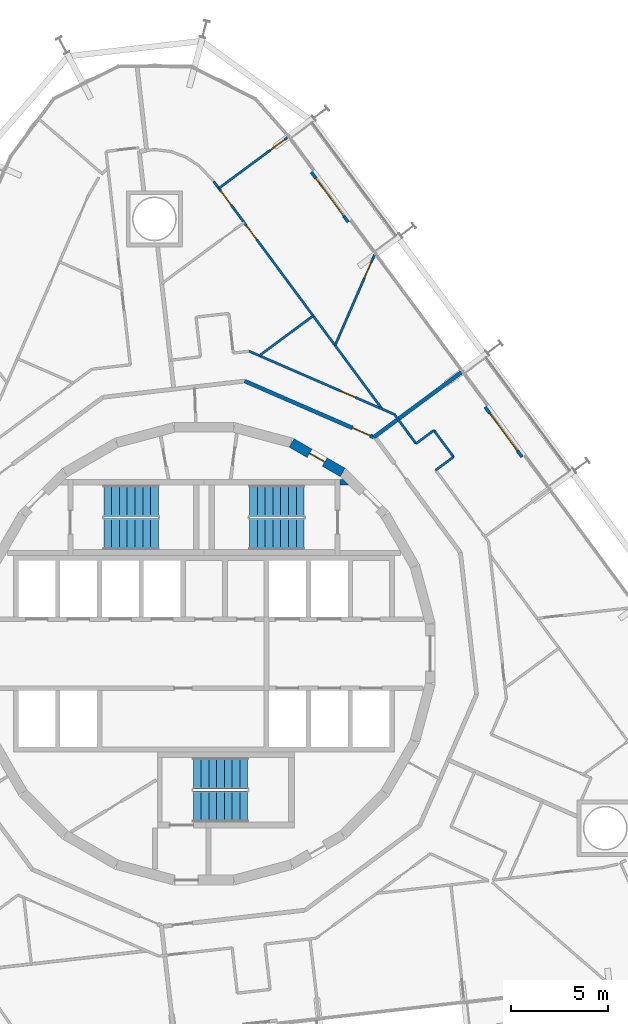
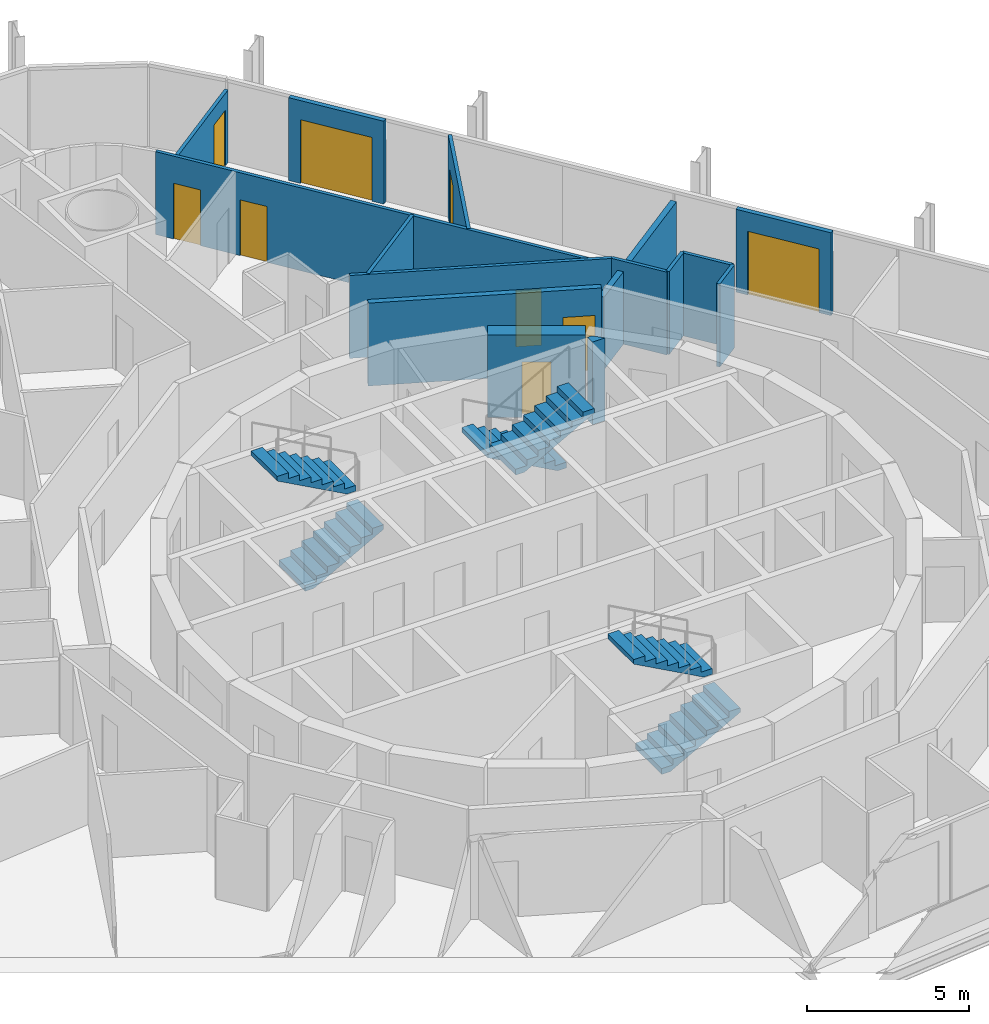
# One storey, part 22 of 24: 15 walls, 9 doors, 6 stair flights, 9 openings, 3 elements without a shape of their own.
"""IFC4 building model written with IfcOpenShell, lengths in metres."""

import ifcopenshell
import ifcopenshell.guid

model = None  # the IFC model being written
_history = None  # IfcOwnerHistory: only IFC2X3 demands one
_inside = {}  # id of a spatial element -> (the spatial element, [elements in it])
_under = {}  # id of a project, library or spatial element -> (it, [spatial elements below it])
_declared = {}  # id of a project -> (the project, [libraries it declares])
_typed = {}  # id of a type object -> (the type object, [elements of that type])
_made_of = {}  # id of a material, layer set ... -> (it, [elements and type objects made of it])


def new_model(schema):
    """Start an empty IFC model of exactly this schema.

    Asked for "IFC4X3", IfcOpenShell would pick the latest addendum, in which some entities
    have other attributes; the version numbers below select the first issue.
    IFC2X3 requires an IfcOwnerHistory on every rooted entity: one is made here for all.
    """
    global model, _history
    if schema == "IFC4X3":
        model = ifcopenshell.file(schema_version=(4, 3, 0, 0))
    else:
        model = ifcopenshell.file(schema=schema)
    _inside.clear()
    _under.clear()
    _declared.clear()
    _typed.clear()
    _made_of.clear()
    _history = None
    if model.schema == "IFC2X3":
        org = make("IfcOrganization", Name="unknown")
        user = make(
            "IfcPersonAndOrganization",
            ThePerson=make("IfcPerson", FamilyName="unknown"),
            TheOrganization=org,
        )
        app = make(
            "IfcApplication",
            ApplicationDeveloper=org,
            Version="unknown",
            ApplicationFullName="unknown",
            ApplicationIdentifier="unknown",
        )
        _history = make(
            "IfcOwnerHistory",
            OwningUser=user,
            OwningApplication=app,
            ChangeAction="ADDED",
            CreationDate=0,
        )
    return model


def make(cls, **values):
    """One entity of the class cls with the attributes given. An attribute that is None is left unset."""
    return model.create_entity(
        cls, **{name: value for name, value in values.items() if value is not None}
    )


def rooted(cls, **values):
    """An entity with a GlobalId (a new one), such as an element, a storey or a relation."""
    return make(cls, GlobalId=ifcopenshell.guid.new(), OwnerHistory=_history, **values)


def si_unit(unit_type, name, prefix=None):
    """IfcSIUnit, for example si_unit("LENGTHUNIT", "METRE", prefix="MILLI")."""
    return make("IfcSIUnit", UnitType=unit_type, Prefix=prefix, Name=name)


def assignment(units):
    """IfcUnitAssignment: the units of a project."""
    return None if units is None else make("IfcUnitAssignment", Units=units)


def point(xyz):
    """IfcCartesianPoint."""
    return None if xyz is None else make("IfcCartesianPoint", Coordinates=xyz)


def direction(xyz):
    """IfcDirection."""
    return None if xyz is None else make("IfcDirection", DirectionRatios=xyz)


def frame(location, z_axis=None, x_axis=None):
    """IfcAxis2Placement3D, a coordinate frame: its origin and axes. An axis left out is left unset."""
    return make(
        "IfcAxis2Placement3D",
        Location=point(location),
        Axis=direction(z_axis),
        RefDirection=direction(x_axis),
    )


def frame_2d(location, x_axis=None):
    """IfcAxis2Placement2D, a coordinate frame in the plane: its origin and x axis."""
    return make(
        "IfcAxis2Placement2D", Location=point(location), RefDirection=direction(x_axis)
    )


def origin():
    """The frame at (0, 0, 0) with its axes left unset."""
    return frame((0.0, 0.0, 0.0))


def place(relative_to, where):
    """IfcLocalPlacement: puts the frame where relative to a parent placement (None: the world)."""
    return make(
        "IfcLocalPlacement", PlacementRelTo=relative_to, RelativePlacement=where
    )


def context(
    kind, dimensions, precision=None, world=None, true_north=None, identifier=None
):
    """IfcGeometricRepresentationContext, for example the 3D "Model" context."""
    return make(
        "IfcGeometricRepresentationContext",
        ContextIdentifier=identifier,
        ContextType=kind,
        CoordinateSpaceDimension=dimensions,
        Precision=precision,
        WorldCoordinateSystem=world,
        TrueNorth=true_north,
    )


def subcontext(parent, identifier, kind, view, scale=None):
    """IfcGeometricRepresentationSubContext, for example "Body" below "Model"."""
    return make(
        "IfcGeometricRepresentationSubContext",
        ContextIdentifier=identifier,
        ContextType=kind,
        ParentContext=parent,
        TargetScale=scale,
        TargetView=view,
    )


def project(units=None, contexts=None):
    """IfcProject with its units and contexts."""
    return rooted(
        "IfcProject",
        Name="project",
        RepresentationContexts=contexts,
        UnitsInContext=assignment(units),
    )


def spatial(cls, under=None, at=None, **own):
    """A site, building, storey or space (cls), placed at a placement, below another one or the project."""
    s = rooted(cls, ObjectPlacement=at, **own)
    if under is not None:
        _under.setdefault(under.id(), (under, []))[1].append(s)
    return s


def polyline(points):
    """IfcPolyline through the points."""
    return make("IfcPolyline", Points=[point(p) for p in points])


def profile(cls, at=None, kind="AREA", **sizes):
    """A parametric profile (cls). Its sizes go by their IFC names, for example OverallWidth=200.0."""
    return make(cls, ProfileType=kind, Position=at, **sizes)


def rectangle(**sizes):
    """IfcRectangleProfileDef."""
    return profile("IfcRectangleProfileDef", **sizes)


def outline(outer, holes=None, kind="AREA"):
    """IfcArbitraryClosedProfileDef: a profile drawn as a closed curve; with holes, ...WithVoids."""
    if holes is None:
        return make("IfcArbitraryClosedProfileDef", ProfileType=kind, OuterCurve=outer)
    return make(
        "IfcArbitraryProfileDefWithVoids",
        ProfileType=kind,
        OuterCurve=outer,
        InnerCurves=holes,
    )


def extrude(swept, where, along, depth):
    """IfcExtrudedAreaSolid: the profile swept, set in the frame where, extruded along a direction by depth."""
    return make(
        "IfcExtrudedAreaSolid",
        SweptArea=swept,
        Position=where,
        ExtrudedDirection=direction(along),
        Depth=depth,
    )


def shape(context_of_items, identifier, shape_type, items):
    """IfcShapeRepresentation: the items that make up one representation, for example the "Body"."""
    return make(
        "IfcShapeRepresentation",
        ContextOfItems=context_of_items,
        RepresentationIdentifier=identifier,
        RepresentationType=shape_type,
        Items=items,
    )


def material(Name=None, Category=None):
    """IfcMaterial."""
    return make("IfcMaterial", Name=Name, Category=Category)


def layer(
    of_material, thickness, ventilated=None, Name=None, Category=None, Priority=None
):
    """IfcMaterialLayer: one layer of a wall or slab, of a material (None: an air gap)."""
    return make(
        "IfcMaterialLayer",
        Material=of_material,
        LayerThickness=thickness,
        IsVentilated=ventilated,
        Name=Name,
        Category=Category,
        Priority=Priority,
    )


def layer_set(layers, Name=None):
    """IfcMaterialLayerSet."""
    return make("IfcMaterialLayerSet", MaterialLayers=layers, LayerSetName=Name)


def made_of(thing, what):
    """Note that an element or type object is made of a material, layer set ...; save() writes the relation."""
    if what is not None:
        _made_of.setdefault(what.id(), (what, []))[1].append(thing)
    return thing


def type_object(cls, material=None, **own):
    """A type object (cls), such as IfcWallType, which elements share."""
    return made_of(rooted(cls, **own), material)


def element(
    cls,
    number,
    at=None,
    inside=None,
    cuts=None,
    type_object=None,
    material=None,
    context=None,
    identifier="Body",
    shape_type=None,
    held_by="IfcProductDefinitionShape",
    body=None,
    shapes=None,
    **own,
):
    """One element of the class cls, such as IfcWall. Its Tag is "e" and its number.

    at: its placement. inside: the storey or other place that contains it. cuts: it is an
    opening in that element (IfcRelVoidsElement). A single representation is given by context,
    identifier, shape_type and body (its items); several are given by shapes. held_by: the class
    of the entity that holds the representations. save() writes the other relations.
    """
    e = rooted(cls, Tag="e%d" % number, ObjectPlacement=at, **own)
    if body is not None:
        shapes = [shape(context, identifier, shape_type, body)]
    if shapes is not None:
        e.Representation = make(held_by, Representations=shapes)
    if inside is not None:
        _inside.setdefault(inside.id(), (inside, []))[1].append(e)
    if cuts is not None:
        rooted(
            "IfcRelVoidsElement", RelatingBuildingElement=cuts, RelatedOpeningElement=e
        )
    if type_object is not None:
        _typed.setdefault(type_object.id(), (type_object, []))[1].append(e)
    return made_of(e, material)


def fill(opening, filler):
    """IfcRelFillsElement: the door or window that sits in an opening."""
    return rooted(
        "IfcRelFillsElement",
        RelatingOpeningElement=opening,
        RelatedBuildingElement=filler,
    )


def aggregate(whole, parts):
    """IfcRelAggregates: a whole, such as a stair, and the parts it consists of."""
    return rooted("IfcRelAggregates", RelatingObject=whole, RelatedObjects=parts)


def save(model, path):
    """Write the relations noted so far, then the file.

    IfcRelAggregates (storeys below a building ...), IfcRelContainedInSpatialStructure (elements
    in a storey), IfcRelDefinesByType, IfcRelAssociatesMaterial and IfcRelDeclares: one each for
    every whole, place, type object, material and project.
    """
    for whole, parts in _under.values():
        aggregate(whole, parts)
    for where, things in _inside.values():
        rooted(
            "IfcRelContainedInSpatialStructure",
            RelatedElements=things,
            RelatingStructure=where,
        )
    for kind, things in _typed.values():
        rooted("IfcRelDefinesByType", RelatedObjects=things, RelatingType=kind)
    for what, things in _made_of.values():
        rooted("IfcRelAssociatesMaterial", RelatedObjects=things, RelatingMaterial=what)
    for by, libraries in _declared.values():
        rooted("IfcRelDeclares", RelatingContext=by, RelatedDefinitions=libraries)
    model.write(path)


model = new_model("IFC4")

# Units and contexts
model_context = context("Model", 3, precision=1e-05, world=origin(), true_north=direction((0.0, 1.0)))
body_context = subcontext(model_context, "Body", "Model", "MODEL_VIEW")
ifc_project = project(units=[si_unit("LENGTHUNIT", "METRE"), si_unit("AREAUNIT", "SQUARE_METRE"), si_unit("VOLUMEUNIT", "CUBIC_METRE"), si_unit("PLANEANGLEUNIT", "RADIAN"), si_unit("MASSUNIT", "GRAM", prefix="KILO")], contexts=[model_context])

# Site, building, storey
site_placement = place(None, origin())
site = spatial("IfcSite", under=ifc_project, at=site_placement, CompositionType="ELEMENT")
building_placement = place(site_placement, origin())
building = spatial("IfcBuilding", under=site, at=building_placement, Name="Spindle Arch Residences", CompositionType="ELEMENT")
storey_placement = place(building_placement, frame((0.0, 0.0, 101.199951171875)))
storey = spatial("IfcBuildingStorey", under=building, at=storey_placement, Name="L24", CompositionType="ELEMENT", Elevation=101.199951171875)

# Wall, opening, door
ifc_material_1 = material(Name="Concrete C50/60", Category="concrete")
ifc_layer_1 = layer(ifc_material_1, 0.5)
ifc_layer_set_1 = layer_set([ifc_layer_1], Name="Core outline wall 500")
wall_type_1 = type_object("IfcWallType", Name="Core outline wall 500", PredefinedType="SHEAR", material=ifc_layer_set_1)
wall_1_placement = place(storey_placement, frame((7.13671875, 9.32861328125, 0.0), z_axis=(0.0, 0.0, 1.0), x_axis=(-0.865975092491, 0.500087131594, 0.0)))
wall_1 = element("IfcWall", 1, at=wall_1_placement, inside=storey, type_object=wall_type_1, Name="Core outline wall 10", PredefinedType="SHEAR", context=body_context, shape_type="SweptSolid", body=[
    extrude(rectangle(XDim=3.03271484375, YDim=0.5, at=frame_2d((1.516357421875, 0.0))), origin(), (0.0, 0.0, 1.0), 3.1201171875),
])
opening_1_placement = place(wall_1_placement, frame((1.06640625, 0.0, 0.0)))
opening_1 = element("IfcOpeningElement", 2, at=opening_1_placement, cuts=wall_1, Name="Opening R2C1-WD10", PredefinedType="OPENING", context=body_context, shape_type="SweptSolid", body=[
    extrude(rectangle(XDim=0.89990234375, YDim=2.10009765625, at=frame_2d((0.449951171875, 1.050048828125))), frame((0.0, 0.260009765625, 0.0), z_axis=(0.0, -1.0, 0.0), x_axis=(1.0, 0.0, 0.0)), (0.0, 0.0, 1.0), 0.52001953125),
])
ifc_material_2 = material(Name="Steel, fire-resisting door", Category="steel")
door_type_1 = type_object("IfcDoorType", Name="Service room door 900x2100", OperationType="SINGLE_SWING_LEFT", PredefinedType="DOOR", material=ifc_material_2)
door_1_placement = place(opening_1_placement, origin())
door_1 = element("IfcDoor", 3, at=door_1_placement, inside=storey, type_object=door_type_1, Name="Service room door R2C1-WD10", OperationType="SINGLE_SWING_LEFT", OverallHeight=2.10009765625, OverallWidth=0.89990234375, PredefinedType="DOOR", context=body_context, shape_type="SweptSolid", body=[
    extrude(rectangle(XDim=0.89990234375, YDim=2.10009765625, at=frame_2d((0.449951171875, 1.050048828125))), frame((0.0, 0.02490234375, 0.0), z_axis=(0.0, -1.0, 0.0), x_axis=(1.0, 0.0, 0.0)), (0.0, 0.0, 1.0), 0.050048828125),
])
fill(opening_1, door_1)

ifc_material_3 = material(Name="Calcium silicate block, plastered")
ifc_layer_2 = layer(ifc_material_3, 0.199951171875)
ifc_layer_set_2 = layer_set([ifc_layer_2], Name="Corridor wall 200")
wall_type_2 = type_object("IfcWallType", Name="Corridor wall 200", PredefinedType="STANDARD", material=ifc_layer_set_2)
wall_2_placement = place(storey_placement, frame((8.735595703125, 11.140625, 0.0), z_axis=(0.0, 0.0, 1.0), x_axis=(-0.917051290697, 0.398769269416, 0.0)))
wall_2 = element("IfcWall", 4, at=wall_2_placement, inside=storey, type_object=wall_type_2, Name="Corridor wall R2C1-W007", PredefinedType="STANDARD", context=body_context, shape_type="SweptSolid", body=[
    extrude(rectangle(XDim=7.23974609375, YDim=0.199951171875, at=frame_2d((3.619873046875, 0.0))), origin(), (0.0, 0.0, 1.0), 3.1201171875),
])
opening_2_placement = place(wall_2_placement, frame((0.199951171875, 0.0, 0.0)))
opening_2 = element("IfcOpeningElement", 5, at=opening_2_placement, cuts=wall_2, Name="Opening R2C1-FD02", PredefinedType="OPENING", context=body_context, shape_type="SweptSolid", body=[
    extrude(rectangle(XDim=1.0, YDim=2.10009765625, at=frame_2d((0.5, 1.050048828125))), frame((0.0, 0.10986328125, 0.0), z_axis=(0.0, -1.0, 0.0), x_axis=(1.0, 0.0, 0.0)), (0.0, 0.0, 1.0), 0.219970703125),
])
ifc_material_4 = material(Name="Timber, fire-resisting door set", Category="wood")
door_type_2 = type_object("IfcDoorType", Name="Flat entrance door 1000x2100", OperationType="NOTDEFINED", PredefinedType="DOOR", material=ifc_material_4)
door_2_placement = place(opening_2_placement, origin())
door_2 = element("IfcDoor", 6, at=door_2_placement, inside=storey, type_object=door_type_2, Name="Flat entrance door R2C1-FD02", OperationType="SINGLE_SWING_RIGHT", OverallHeight=2.10009765625, OverallWidth=1.0, PredefinedType="DOOR", context=body_context, shape_type="SweptSolid", body=[
    extrude(rectangle(XDim=1.0, YDim=2.10009765625, at=frame_2d((0.5, 1.050048828125))), frame((0.0, 0.02490234375, 0.0), z_axis=(0.0, -1.0, 0.0), x_axis=(1.0, 0.0, 0.0)), (0.0, 0.0, 1.0), 0.050048828125),
])
fill(opening_2, door_2)

# Walls
ifc_material_5 = material(Name="Plasterboard on steel studs", Category="steel")
ifc_layer_3 = layer(ifc_material_5, 0.1201171875)
ifc_layer_set_3 = layer_set([ifc_layer_3], Name="Flat partition 120")
wall_type_3 = type_object("IfcWallType", Name="Flat partition 120", PredefinedType="PARTITIONING", material=ifc_layer_set_3)
wall_3_placement = place(storey_placement, frame((11.9208984375, 9.44384765625, 0.0), z_axis=(0.0, 0.0, 1.0), x_axis=(0.803768532163, 0.594942137274, 0.0)))
element("IfcWall", 7, at=wall_3_placement, inside=storey, type_object=wall_type_3, Name="Flat partition R2C1-W031", PredefinedType="PARTITIONING", context=body_context, shape_type="SweptSolid", body=[
    extrude(rectangle(XDim=1.145751953125, YDim=0.1201171875, at=frame_2d((0.57275390625, 0.0))), origin(), (0.0, 0.0, 1.0), 3.1201171875),
])
wall_4_placement = place(storey_placement, frame((12.841796875, 10.12548828125, 0.0), z_axis=(0.0, 0.0, 1.0), x_axis=(-0.594770612735, 0.803895464738, 0.0)))
element("IfcWall", 8, at=wall_4_placement, inside=storey, type_object=wall_type_3, Name="Flat partition R2C1-W032", PredefinedType="PARTITIONING", context=body_context, shape_type="SweptSolid", body=[
    extrude(rectangle(XDim=1.69970703125, YDim=0.1201171875, at=frame_2d((0.849853515625, 0.0))), origin(), (0.0, 0.0, 1.0), 3.1201171875),
])
wall_5_placement = place(storey_placement, frame((11.830810546875, 11.491943359375, 0.0), z_axis=(0.0, 0.0, 1.0), x_axis=(-0.803843936653, -0.59484025209, 0.0)))
element("IfcWall", 9, at=wall_5_placement, inside=storey, type_object=wall_type_3, Name="Flat partition R2C1-W033", PredefinedType="PARTITIONING", context=body_context, shape_type="SweptSolid", body=[
    extrude(rectangle(XDim=1.14599609375, YDim=0.1201171875, at=frame_2d((0.572998046875, 0.0))), origin(), (0.0, 0.0, 1.0), 3.1201171875),
])
wall_6_placement = place(storey_placement, frame((10.90966796875, 10.810302734375, 0.0), z_axis=(0.0, 0.0, 1.0), x_axis=(-0.59489693125, 0.803801991282, 0.0)))
element("IfcWall", 10, at=wall_6_placement, inside=storey, type_object=wall_type_3, Name="Flat partition R2C1-W034", PredefinedType="PARTITIONING", context=body_context, shape_type="SweptSolid", body=[
    extrude(rectangle(XDim=1.872314453125, YDim=0.1201171875, at=frame_2d((0.93603515625, 0.0))), origin(), (0.0, 0.0, 1.0), 3.1201171875),
])

# Wall, opening, door
wall_7_placement = place(storey_placement, frame((9.7958984375, 12.315185546875, 0.0), z_axis=(0.0, 0.0, 1.0), x_axis=(-0.917059572812, 0.398750222463, 0.0)))
wall_7 = element("IfcWall", 11, at=wall_7_placement, inside=storey, type_object=wall_type_3, Name="Flat partition R2C1-W050", PredefinedType="PARTITIONING", context=body_context, shape_type="SweptSolid", body=[
    extrude(rectangle(XDim=8.1455078125, YDim=0.1201171875, at=frame_2d((4.07275390625, 0.0))), origin(), (0.0, 0.0, 1.0), 3.1201171875),
])
opening_3_placement = place(wall_7_placement, frame((2.184814453125, 0.0, 0.0)))
opening_3 = element("IfcOpeningElement", 12, at=opening_3_placement, cuts=wall_7, Name="Opening R2C1-BD02", PredefinedType="OPENING", context=body_context, shape_type="SweptSolid", body=[
    extrude(rectangle(XDim=0.800048828125, YDim=2.10009765625, at=frame_2d((0.39990234375, 1.050048828125))), frame((0.0, 0.070068359375, 0.0), z_axis=(0.0, -1.0, 0.0), x_axis=(1.0, 0.0, 0.0)), (0.0, 0.0, 1.0), 0.14013671875),
])
ifc_material_6 = material(Name="Timber door set", Category="wood")
door_type_3 = type_object("IfcDoorType", Name="Bathroom door 800x2100", OperationType="NOTDEFINED", PredefinedType="DOOR", material=ifc_material_6)
door_3_placement = place(opening_3_placement, origin())
door_3 = element("IfcDoor", 13, at=door_3_placement, inside=storey, type_object=door_type_3, Name="Bathroom door R2C1-BD02", OperationType="SINGLE_SWING_RIGHT", OverallHeight=2.10009765625, OverallWidth=0.800048828125, PredefinedType="DOOR", context=body_context, shape_type="SweptSolid", body=[
    extrude(rectangle(XDim=0.800048828125, YDim=2.10009765625, at=frame_2d((0.39990234375, 1.050048828125))), frame((0.0, 0.02490234375, 0.0), z_axis=(0.0, -1.0, 0.0), x_axis=(1.0, 0.0, 0.0)), (0.0, 0.0, 1.0), 0.050048828125),
])
fill(opening_3, door_3)

# Wall, openings, doors
wall_8_placement = place(storey_placement, frame((0.49755859375, 24.3056640625, 0.0), z_axis=(0.0, 0.0, 1.0), x_axis=(0.594826122019, -0.803854392639, 0.0)))
wall_8 = element("IfcWall", 14, at=wall_8_placement, inside=storey, type_object=wall_type_3, Name="Flat partition R2C1-W056", PredefinedType="PARTITIONING", context=body_context, shape_type="SweptSolid", body=[
    extrude(rectangle(XDim=14.576416015625, YDim=0.1201171875, at=frame_2d((7.2880859375, 0.0))), origin(), (0.0, 0.0, 1.0), 3.1201171875),
])
opening_4_placement = place(wall_8_placement, frame((2.840576171875, 0.0, 0.0)))
opening_4 = element("IfcOpeningElement", 15, at=opening_4_placement, cuts=wall_8, Name="Opening R2C1-ID09", PredefinedType="OPENING", context=body_context, shape_type="SweptSolid", body=[
    extrude(rectangle(XDim=0.89990234375, YDim=2.10009765625, at=frame_2d((0.449951171875, 1.050048828125))), frame((0.0, 0.070068359375, 0.0), z_axis=(0.0, -1.0, 0.0), x_axis=(1.0, 0.0, 0.0)), (0.0, 0.0, 1.0), 0.14013671875),
])
opening_5_placement = place(wall_8_placement, frame((0.605224609375, 0.0, 0.0)))
opening_5 = element("IfcOpeningElement", 16, at=opening_5_placement, cuts=wall_8, Name="Opening R2C1-ID13", PredefinedType="OPENING", context=body_context, shape_type="SweptSolid", body=[
    extrude(rectangle(XDim=0.89990234375, YDim=2.10009765625, at=frame_2d((0.449951171875, 1.050048828125))), frame((0.0, 0.070068359375, 0.0), z_axis=(0.0, -1.0, 0.0), x_axis=(1.0, 0.0, 0.0)), (0.0, 0.0, 1.0), 0.14013671875),
])
ifc_material_7 = material(Name="Timber door set", Category="wood")
door_type_4 = type_object("IfcDoorType", Name="Room door 900x2100", OperationType="NOTDEFINED", PredefinedType="DOOR", material=ifc_material_7)
door_4_placement = place(opening_4_placement, origin())
door_4 = element("IfcDoor", 17, at=door_4_placement, inside=storey, type_object=door_type_4, Name="Room door R2C1-ID09", OperationType="SINGLE_SWING_RIGHT", OverallHeight=2.10009765625, OverallWidth=0.89990234375, PredefinedType="DOOR", context=body_context, shape_type="SweptSolid", body=[
    extrude(rectangle(XDim=0.89990234375, YDim=2.10009765625, at=frame_2d((0.449951171875, 1.050048828125))), frame((0.0, 0.02490234375, 0.0), z_axis=(0.0, -1.0, 0.0), x_axis=(1.0, 0.0, 0.0)), (0.0, 0.0, 1.0), 0.050048828125),
])
fill(opening_4, door_4)
door_5_placement = place(opening_5_placement, origin())
door_5 = element("IfcDoor", 18, at=door_5_placement, inside=storey, type_object=door_type_4, Name="Room door R2C1-ID13", OperationType="SINGLE_SWING_LEFT", OverallHeight=2.10009765625, OverallWidth=0.89990234375, PredefinedType="DOOR", context=body_context, shape_type="SweptSolid", body=[
    extrude(rectangle(XDim=0.89990234375, YDim=2.10009765625, at=frame_2d((0.449951171875, 1.050048828125))), frame((0.0, 0.02490234375, 0.0), z_axis=(0.0, -1.0, 0.0), x_axis=(1.0, 0.0, 0.0)), (0.0, 0.0, 1.0), 0.050048828125),
])
fill(opening_5, door_5)

# Wall, opening, door
wall_9_placement = place(storey_placement, frame((8.771728515625, 20.52099609375, 0.0), z_axis=(0.0, 0.0, 1.0), x_axis=(-0.398733139635, -0.917067000473, 0.0)))
wall_9 = element("IfcWall", 19, at=wall_9_placement, inside=storey, type_object=wall_type_3, Name="Flat partition R2C1-W057", PredefinedType="PARTITIONING", context=body_context, shape_type="SweptSolid", body=[
    extrude(rectangle(XDim=5.080810546875, YDim=0.1201171875, at=frame_2d((2.54052734375, 0.0))), origin(), (0.0, 0.0, 1.0), 3.1201171875),
])
opening_6_placement = place(wall_9_placement, frame((0.39990234375, 0.0, 0.0)))
opening_6 = element("IfcOpeningElement", 20, at=opening_6_placement, cuts=wall_9, Name="Opening R2C1-ID11", PredefinedType="OPENING", context=body_context, shape_type="SweptSolid", body=[
    extrude(rectangle(XDim=0.89990234375, YDim=2.10009765625, at=frame_2d((0.449951171875, 1.050048828125))), frame((0.0, 0.070068359375, 0.0), z_axis=(0.0, -1.0, 0.0), x_axis=(1.0, 0.0, 0.0)), (0.0, 0.0, 1.0), 0.14013671875),
])
door_6_placement = place(opening_6_placement, origin())
door_6 = element("IfcDoor", 21, at=door_6_placement, inside=storey, type_object=door_type_4, Name="Room door R2C1-ID11", OperationType="SINGLE_SWING_LEFT", OverallHeight=2.10009765625, OverallWidth=0.89990234375, PredefinedType="DOOR", context=body_context, shape_type="SweptSolid", body=[
    extrude(rectangle(XDim=0.89990234375, YDim=2.10009765625, at=frame_2d((0.449951171875, 1.050048828125))), frame((0.0, 0.02490234375, 0.0), z_axis=(0.0, -1.0, 0.0), x_axis=(1.0, 0.0, 0.0)), (0.0, 0.0, 1.0), 0.050048828125),
])
fill(opening_6, door_6)

# Wall
wall_10_placement = place(storey_placement, frame((5.6181640625, 17.3857421875, 0.0), z_axis=(0.0, 0.0, 1.0), x_axis=(-0.803852063114, -0.59482927015, 0.0)))
element("IfcWall", 22, at=wall_10_placement, inside=storey, type_object=wall_type_3, Name="Flat partition R2C1-W058", PredefinedType="PARTITIONING", context=body_context, shape_type="SweptSolid", body=[
    extrude(rectangle(XDim=3.445556640625, YDim=0.1201171875, at=frame_2d((1.72265625, 0.0))), origin(), (0.0, 0.0, 1.0), 3.1201171875),
])

# Wall, opening, door
ifc_material_8 = material(Name="Plasterboard on steel studs", Category="steel")
ifc_layer_4 = layer(ifc_material_8, 0.1201171875)
ifc_layer_set_4 = layer_set([ifc_layer_4], Name="Flat partition 120 under beam 2730")
wall_type_4 = type_object("IfcWallType", Name="Flat partition 120 under beam 2730", PredefinedType="PARTITIONING", material=ifc_layer_set_4)
wall_11_placement = place(storey_placement, frame((4.29931640625, 26.56494140625, 0.0), z_axis=(0.0, 0.0, 1.0), x_axis=(-0.803851981262, -0.594829380764, 0.0)))
wall_11 = element("IfcWall", 23, at=wall_11_placement, inside=storey, type_object=wall_type_4, Name="Flat partition R2C1-W059", PredefinedType="PARTITIONING", context=body_context, shape_type="SweptSolid", body=[
    extrude(rectangle(XDim=4.39990234375, YDim=0.1201171875, at=frame_2d((2.199951171875, 0.0))), origin(), (0.0, 0.0, 1.0), 2.72998046875),
])
opening_7_placement = place(wall_11_placement, frame((0.199951171875, 0.0, 0.0)))
opening_7 = element("IfcOpeningElement", 24, at=opening_7_placement, cuts=wall_11, Name="Opening R2C1-ID12", PredefinedType="OPENING", context=body_context, shape_type="SweptSolid", body=[
    extrude(rectangle(XDim=0.89990234375, YDim=2.10009765625, at=frame_2d((0.449951171875, 1.050048828125))), frame((0.0, 0.070068359375, 0.0), z_axis=(0.0, -1.0, 0.0), x_axis=(1.0, 0.0, 0.0)), (0.0, 0.0, 1.0), 0.14013671875),
])
door_7_placement = place(opening_7_placement, origin())
door_7 = element("IfcDoor", 25, at=door_7_placement, inside=storey, type_object=door_type_4, Name="Room door R2C1-ID12", OperationType="SINGLE_SWING_RIGHT", OverallHeight=2.10009765625, OverallWidth=0.89990234375, PredefinedType="DOOR", context=body_context, shape_type="SweptSolid", body=[
    extrude(rectangle(XDim=0.89990234375, YDim=2.10009765625, at=frame_2d((0.449951171875, 1.050048828125))), frame((0.0, 0.02490234375, 0.0), z_axis=(0.0, -1.0, 0.0), x_axis=(1.0, 0.0, 0.0)), (0.0, 0.0, 1.0), 0.050048828125),
])
fill(opening_7, door_7)

# Wall
ifc_material_9 = material(Name="Calcium silicate block, plastered")
ifc_layer_5 = layer(ifc_material_9, 0.199951171875)
ifc_layer_set_5 = layer_set([ifc_layer_5], Name="Flat party wall 200 under beam 2730")
wall_type_5 = type_object("IfcWallType", Name="Flat party wall 200 under beam 2730", PredefinedType="STANDARD", material=ifc_layer_set_5)
wall_12_placement = place(storey_placement, frame((13.244140625, 14.476806640625, 0.0), z_axis=(0.0, 0.0, 1.0), x_axis=(-0.803853971109, -0.594826691677, 0.0)))
element("IfcWall", 26, at=wall_12_placement, inside=storey, type_object=wall_type_5, Name="Flat party wall R2C1-W016", PredefinedType="STANDARD", context=body_context, shape_type="SweptSolid", body=[
    extrude(rectangle(XDim=5.608642578125, YDim=0.199951171875, at=frame_2d((2.80419921875, 0.0))), origin(), (0.0, 0.0, 1.0), 2.72998046875),
])

# Wall, opening, door
ifc_material_10 = material(Name="Non-combustible mineral wool insulated aluminium faced external wall (K0)", Category="aluminium")
ifc_layer_6 = layer(ifc_material_10, 0.159912109375)
ifc_layer_set_6 = layer_set([ifc_layer_6], Name="Insulated external wall panel 160")
wall_type_6 = type_object("IfcWallType", Name="Insulated external wall panel 160", PredefinedType="STANDARD", material=ifc_layer_set_6)
wall_13_placement = place(storey_placement, frame((16.36767578125, 10.12109375, 0.0), z_axis=(0.0, 0.0, 1.0), x_axis=(-0.594811452818, 0.803865247163, 0.0)))
wall_13 = element("IfcWall", 27, at=wall_13_placement, inside=storey, type_object=wall_type_6, Name="External wall L24 bay 8", PredefinedType="STANDARD", context=body_context, shape_type="SweptSolid", body=[
    extrude(rectangle(XDim=3.199951171875, YDim=0.159912109375, at=frame_2d((1.60009765625, 0.0))), origin(), (0.0, 0.0, 1.0), 3.1201171875),
])
opening_8_placement = place(wall_13_placement, frame((0.39990234375, 0.0, 0.0)))
opening_8 = element("IfcOpeningElement", 28, at=opening_8_placement, cuts=wall_13, Name="Opening BD08", PredefinedType="OPENING", context=body_context, shape_type="SweptSolid", body=[
    extrude(rectangle(XDim=2.39990234375, YDim=2.39990234375, at=frame_2d((1.199951171875, 1.199951171875))), frame((0.0, 0.08984375, 0.0), z_axis=(0.0, -1.0, 0.0), x_axis=(1.0, 0.0, 0.0)), (0.0, 0.0, 1.0), 0.179931640625),
])
ifc_material_11 = material(Name="Bronze aluminium frame, tinted double glazing", Category="aluminium")
door_type_5 = type_object("IfcDoorType", Name="Sliding glazed balcony door 2400x2400", OperationType="DOUBLE_DOOR_SLIDING", PredefinedType="DOOR", material=ifc_material_11)
door_8_placement = place(opening_8_placement, origin())
door_8 = element("IfcDoor", 29, at=door_8_placement, inside=storey, type_object=door_type_5, Name="Balcony door BD08", OperationType="DOUBLE_DOOR_SLIDING", OverallHeight=2.39990234375, OverallWidth=2.39990234375, PredefinedType="DOOR", context=body_context, shape_type="SweptSolid", body=[
    extrude(rectangle(XDim=2.39990234375, YDim=2.39990234375, at=frame_2d((1.199951171875, 1.199951171875))), frame((0.0, 0.02490234375, 0.0), z_axis=(0.0, -1.0, 0.0), x_axis=(1.0, 0.0, 0.0)), (0.0, 0.0, 1.0), 0.050048828125),
])
fill(opening_8, door_8)

wall_14_placement = place(storey_placement, frame((7.4228515625, 22.209228515625, 0.0), z_axis=(0.0, 0.0, 1.0), x_axis=(-0.594811452818, 0.803865247163, 0.0)))
wall_14 = element("IfcWall", 30, at=wall_14_placement, inside=storey, type_object=wall_type_6, Name="External wall L24 bay 10", PredefinedType="STANDARD", context=body_context, shape_type="SweptSolid", body=[
    extrude(rectangle(XDim=3.199951171875, YDim=0.159912109375, at=frame_2d((1.60009765625, 0.0))), origin(), (0.0, 0.0, 1.0), 3.1201171875),
])
opening_9_placement = place(wall_14_placement, frame((0.39990234375, 0.0, 0.0)))
opening_9 = element("IfcOpeningElement", 31, at=opening_9_placement, cuts=wall_14, Name="Opening BD10", PredefinedType="OPENING", context=body_context, shape_type="SweptSolid", body=[
    extrude(rectangle(XDim=2.39990234375, YDim=2.39990234375, at=frame_2d((1.199951171875, 1.199951171875))), frame((0.0, 0.08984375, 0.0), z_axis=(0.0, -1.0, 0.0), x_axis=(1.0, 0.0, 0.0)), (0.0, 0.0, 1.0), 0.179931640625),
])
door_9_placement = place(opening_9_placement, origin())
door_9 = element("IfcDoor", 32, at=door_9_placement, inside=storey, type_object=door_type_5, Name="Balcony door BD10", OperationType="DOUBLE_DOOR_SLIDING", OverallHeight=2.39990234375, OverallWidth=2.39990234375, PredefinedType="DOOR", context=body_context, shape_type="SweptSolid", body=[
    extrude(rectangle(XDim=2.39990234375, YDim=2.39990234375, at=frame_2d((1.199951171875, 1.199951171875))), frame((0.0, 0.02490234375, 0.0), z_axis=(0.0, -1.0, 0.0), x_axis=(1.0, 0.0, 0.0)), (0.0, 0.0, 1.0), 0.050048828125),
])
fill(opening_9, door_9)

# Wall
ifc_material_12 = material(Name="Concrete C40/50", Category="concrete")
wall_type_7 = type_object("IfcWallType", Name="Stair airlock wall profile", PredefinedType="SHEAR", material=ifc_material_12)
wall_15_placement = place(storey_placement, origin())
element("IfcWall", 33, at=wall_15_placement, inside=storey, type_object=wall_type_7, Name="Stair ST-1 airlock wall N", PredefinedType="SHEAR", context=body_context, shape_type="SweptSolid", body=[
    extrude(outline(polyline([(7.4482421875, 8.669921875), (7.0, 8.669921875), (7.0, 8.969970703125), (7.148193359375, 8.969970703125), (7.4482421875, 8.669921875)])), origin(), (0.0, 0.0, 1.0), 3.1201171875),
])

# Stair, stair flights
ifc_material_13 = material(Name="Concrete C50/60", Category="concrete")
stair_type = type_object("IfcStairType", Name="Exit stair 16 risers", PredefinedType="HALF_TURN_STAIR", material=ifc_material_13)
stair_1_placement = place(storey_placement, origin())
stair_1 = element("IfcStair", 34, at=stair_1_placement, inside=storey, type_object=stair_type, Name="L24 Exit stair ST1", PredefinedType="HALF_TURN_STAIR")
ifc_material_14 = material(Name="Concrete C50/60", Category="concrete")
stair_flight_type = type_object("IfcStairFlightType", Name="Exit stair flight", PredefinedType="STRAIGHT", material=ifc_material_14)
stair_flight_1_placement = place(storey_placement, frame((5.14990234375, 7.8701171875, 0.0), z_axis=(0.0, 0.0, 1.0), x_axis=(-1.0, 0.0, 0.0)))
stair_flight_1 = element("IfcStairFlight", 35, at=stair_flight_1_placement, type_object=stair_flight_type, Name="ST1 flight 1", NumberOfRisers=8, NumberOfTreads=7, PredefinedType="STRAIGHT", RiserHeight=0.21875, TreadLength=0.4, context=body_context, shape_type="SweptSolid", body=[
    extrude(outline(polyline([(0.0, 0.0), (0.0, 0.21875), (0.39990234375, 0.21875), (0.39990234375, 0.4375), (0.800048828125, 0.4375), (0.800048828125, 0.65625), (1.199951171875, 0.65625), (1.199951171875, 0.875), (1.60009765625, 0.875), (1.60009765625, 1.09375), (2.0, 1.09375), (2.0, 1.3125), (2.39990234375, 1.3125), (2.39990234375, 1.53125), (2.800048828125, 1.53125), (2.800048828125, 1.75), (2.800048828125, 1.3603515625), (0.3125, 0.0), (0.0, 0.0)])), frame((0.0, 0.800048828125, 0.0), z_axis=(0.0, -1.0, 0.0), x_axis=(1.0, 0.0, 0.0)), (0.0, 0.0, 1.0), 1.60009765625),
])
stair_flight_2_placement = place(storey_placement, frame((2.35009765625, 6.14990234375, 1.75), z_axis=(0.0, 0.0, 1.0), x_axis=(1.0, 0.0, 0.0)))
stair_flight_2 = element("IfcStairFlight", 36, at=stair_flight_2_placement, type_object=stair_flight_type, Name="ST1 flight 2", NumberOfRisers=8, NumberOfTreads=7, PredefinedType="STRAIGHT", RiserHeight=0.21875, TreadLength=0.4, context=body_context, shape_type="SweptSolid", body=[
    extrude(outline(polyline([(0.0, 0.0), (0.0, 0.21875), (0.39990234375, 0.21875), (0.39990234375, 0.4375), (0.800048828125, 0.4375), (0.800048828125, 0.65625), (1.199951171875, 0.65625), (1.199951171875, 0.875), (1.60009765625, 0.875), (1.60009765625, 1.09375), (2.0, 1.09375), (2.0, 1.3125), (2.39990234375, 1.3125), (2.39990234375, 1.53125), (2.800048828125, 1.53125), (2.800048828125, 1.75), (2.800048828125, 1.3603515625), (0.3125, 0.0), (0.0, 0.0)])), frame((0.0, 0.800048828125, 0.0), z_axis=(0.0, -1.0, 0.0), x_axis=(1.0, 0.0, 0.0)), (0.0, 0.0, 1.0), 1.60009765625),
])
aggregate(stair_1, [stair_flight_1, stair_flight_2])

stair_2_placement = place(storey_placement, origin())
stair_2 = element("IfcStair", 37, at=stair_2_placement, inside=storey, type_object=stair_type, Name="L24 Exit stair ST2", PredefinedType="HALF_TURN_STAIR")
stair_flight_3_placement = place(storey_placement, frame((-5.14990234375, 6.14990234375, 0.0), z_axis=(0.0, 0.0, 1.0), x_axis=(1.0, 0.0, 0.0)))
stair_flight_3 = element("IfcStairFlight", 38, at=stair_flight_3_placement, type_object=stair_flight_type, Name="ST2 flight 1", NumberOfRisers=8, NumberOfTreads=7, PredefinedType="STRAIGHT", RiserHeight=0.21875, TreadLength=0.4, context=body_context, shape_type="SweptSolid", body=[
    extrude(outline(polyline([(0.0, 0.0), (0.0, 0.21875), (0.39990234375, 0.21875), (0.39990234375, 0.4375), (0.800048828125, 0.4375), (0.800048828125, 0.65625), (1.199951171875, 0.65625), (1.199951171875, 0.875), (1.60009765625, 0.875), (1.60009765625, 1.09375), (2.0, 1.09375), (2.0, 1.3125), (2.39990234375, 1.3125), (2.39990234375, 1.53125), (2.800048828125, 1.53125), (2.800048828125, 1.75), (2.800048828125, 1.3603515625), (0.3125, 0.0), (0.0, 0.0)])), frame((0.0, 0.800048828125, 0.0), z_axis=(0.0, -1.0, 0.0), x_axis=(1.0, 0.0, 0.0)), (0.0, 0.0, 1.0), 1.60009765625),
])
stair_flight_4_placement = place(storey_placement, frame((-2.35009765625, 7.8701171875, 1.75), z_axis=(0.0, 0.0, 1.0), x_axis=(-1.0, 0.0, 0.0)))
stair_flight_4 = element("IfcStairFlight", 39, at=stair_flight_4_placement, type_object=stair_flight_type, Name="ST2 flight 2", NumberOfRisers=8, NumberOfTreads=7, PredefinedType="STRAIGHT", RiserHeight=0.21875, TreadLength=0.4, context=body_context, shape_type="SweptSolid", body=[
    extrude(outline(polyline([(0.0, 0.0), (0.0, 0.21875), (0.39990234375, 0.21875), (0.39990234375, 0.4375), (0.800048828125, 0.4375), (0.800048828125, 0.65625), (1.199951171875, 0.65625), (1.199951171875, 0.875), (1.60009765625, 0.875), (1.60009765625, 1.09375), (2.0, 1.09375), (2.0, 1.3125), (2.39990234375, 1.3125), (2.39990234375, 1.53125), (2.800048828125, 1.53125), (2.800048828125, 1.75), (2.800048828125, 1.3603515625), (0.3125, 0.0), (0.0, 0.0)])), frame((0.0, 0.800048828125, 0.0), z_axis=(0.0, -1.0, 0.0), x_axis=(1.0, 0.0, 0.0)), (0.0, 0.0, 1.0), 1.60009765625),
])
aggregate(stair_2, [stair_flight_3, stair_flight_4])

stair_3_placement = place(storey_placement, origin())
stair_3 = element("IfcStair", 40, at=stair_3_placement, inside=storey, type_object=stair_type, Name="L24 Exit stair ST3", PredefinedType="HALF_TURN_STAIR")
stair_flight_5_placement = place(storey_placement, frame((-0.550048828125, -7.8701171875, 0.0), z_axis=(0.0, 0.0, 1.0), x_axis=(1.0, 0.0, 0.0)))
stair_flight_5 = element("IfcStairFlight", 41, at=stair_flight_5_placement, type_object=stair_flight_type, Name="ST3 flight 1", NumberOfRisers=8, NumberOfTreads=7, PredefinedType="STRAIGHT", RiserHeight=0.21875, TreadLength=0.4, context=body_context, shape_type="SweptSolid", body=[
    extrude(outline(polyline([(0.0, 0.0), (0.0, 0.21875), (0.39990234375, 0.21875), (0.39990234375, 0.4375), (0.800048828125, 0.4375), (0.800048828125, 0.65625), (1.199951171875, 0.65625), (1.199951171875, 0.875), (1.60009765625, 0.875), (1.60009765625, 1.09375), (2.0, 1.09375), (2.0, 1.3125), (2.39990234375, 1.3125), (2.39990234375, 1.53125), (2.800048828125, 1.53125), (2.800048828125, 1.75), (2.800048828125, 1.3603515625), (0.3125, 0.0), (0.0, 0.0)])), frame((0.0, 0.800048828125, 0.0), z_axis=(0.0, -1.0, 0.0), x_axis=(1.0, 0.0, 0.0)), (0.0, 0.0, 1.0), 1.60009765625),
])
stair_flight_6_placement = place(storey_placement, frame((2.25, -6.14990234375, 1.75), z_axis=(0.0, 0.0, 1.0), x_axis=(-1.0, 0.0, 0.0)))
stair_flight_6 = element("IfcStairFlight", 42, at=stair_flight_6_placement, type_object=stair_flight_type, Name="ST3 flight 2", NumberOfRisers=8, NumberOfTreads=7, PredefinedType="STRAIGHT", RiserHeight=0.21875, TreadLength=0.4, context=body_context, shape_type="SweptSolid", body=[
    extrude(outline(polyline([(0.0, 0.0), (0.0, 0.21875), (0.39990234375, 0.21875), (0.39990234375, 0.4375), (0.800048828125, 0.4375), (0.800048828125, 0.65625), (1.199951171875, 0.65625), (1.199951171875, 0.875), (1.60009765625, 0.875), (1.60009765625, 1.09375), (2.0, 1.09375), (2.0, 1.3125), (2.39990234375, 1.3125), (2.39990234375, 1.53125), (2.800048828125, 1.53125), (2.800048828125, 1.75), (2.800048828125, 1.3603515625), (0.3125, 0.0), (0.0, 0.0)])), frame((0.0, 0.800048828125, 0.0), z_axis=(0.0, -1.0, 0.0), x_axis=(1.0, 0.0, 0.0)), (0.0, 0.0, 1.0), 1.60009765625),
])
aggregate(stair_3, [stair_flight_5, stair_flight_6])

save(model, "model.ifc")
